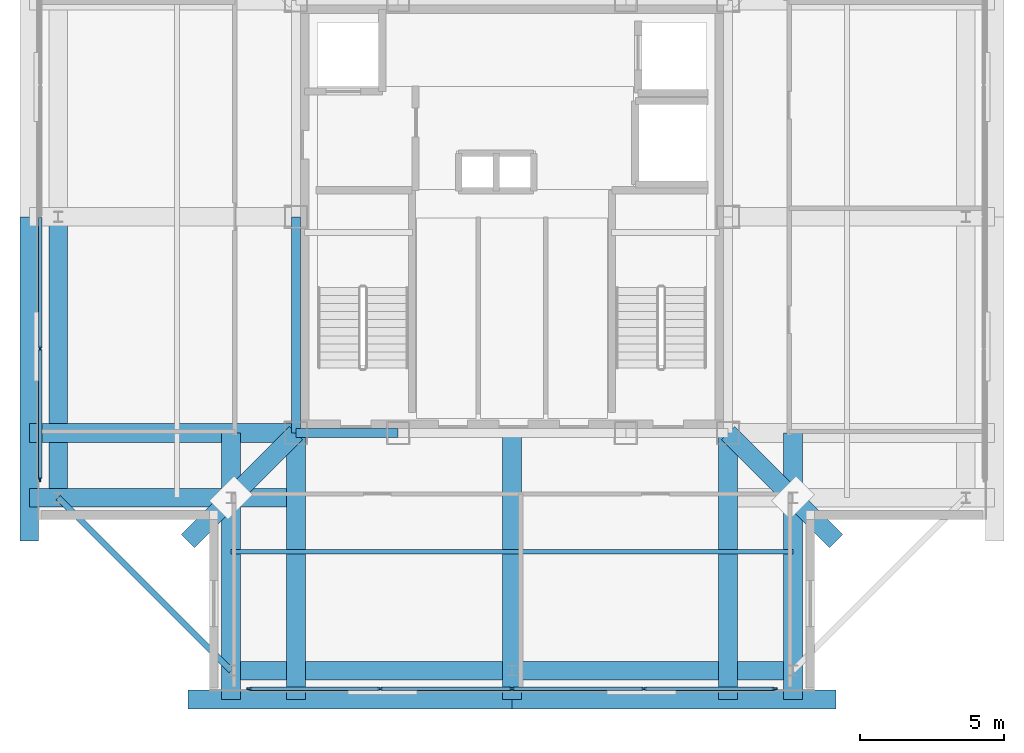
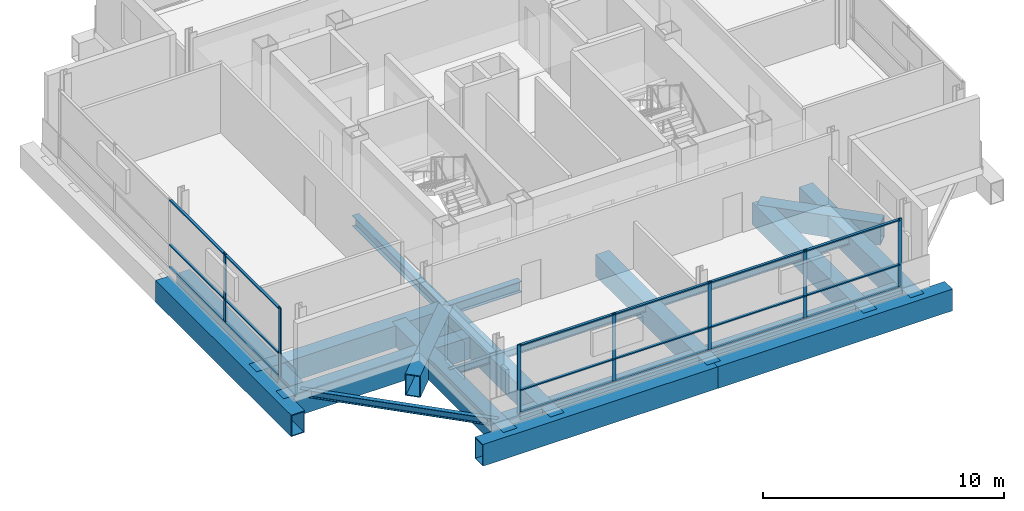
# One storey, part 2 of 12: 25 members, 19 beams, 2 elements without a shape of their own.
"""IFC4 building model written with IfcOpenShell, lengths in metres."""

import ifcopenshell
import ifcopenshell.guid

model = None  # the IFC model being written
_history = None  # IfcOwnerHistory: only IFC2X3 demands one
_inside = {}  # id of a spatial element -> (the spatial element, [elements in it])
_under = {}  # id of a project, library or spatial element -> (it, [spatial elements below it])
_declared = {}  # id of a project -> (the project, [libraries it declares])
_typed = {}  # id of a type object -> (the type object, [elements of that type])
_made_of = {}  # id of a material, layer set ... -> (it, [elements and type objects made of it])


def new_model(schema):
    """Start an empty IFC model of exactly this schema.

    Asked for "IFC4X3", IfcOpenShell would pick the latest addendum, in which some entities
    have other attributes; the version numbers below select the first issue.
    IFC2X3 requires an IfcOwnerHistory on every rooted entity: one is made here for all.
    """
    global model, _history
    if schema == "IFC4X3":
        model = ifcopenshell.file(schema_version=(4, 3, 0, 0))
    else:
        model = ifcopenshell.file(schema=schema)
    _inside.clear()
    _under.clear()
    _declared.clear()
    _typed.clear()
    _made_of.clear()
    _history = None
    if model.schema == "IFC2X3":
        org = make("IfcOrganization", Name="unknown")
        user = make(
            "IfcPersonAndOrganization",
            ThePerson=make("IfcPerson", FamilyName="unknown"),
            TheOrganization=org,
        )
        app = make(
            "IfcApplication",
            ApplicationDeveloper=org,
            Version="unknown",
            ApplicationFullName="unknown",
            ApplicationIdentifier="unknown",
        )
        _history = make(
            "IfcOwnerHistory",
            OwningUser=user,
            OwningApplication=app,
            ChangeAction="ADDED",
            CreationDate=0,
        )
    return model


def make(cls, **values):
    """One entity of the class cls with the attributes given. An attribute that is None is left unset."""
    return model.create_entity(
        cls, **{name: value for name, value in values.items() if value is not None}
    )


def rooted(cls, **values):
    """An entity with a GlobalId (a new one), such as an element, a storey or a relation."""
    return make(cls, GlobalId=ifcopenshell.guid.new(), OwnerHistory=_history, **values)


def si_unit(unit_type, name, prefix=None):
    """IfcSIUnit, for example si_unit("LENGTHUNIT", "METRE", prefix="MILLI")."""
    return make("IfcSIUnit", UnitType=unit_type, Prefix=prefix, Name=name)


def assignment(units):
    """IfcUnitAssignment: the units of a project."""
    return None if units is None else make("IfcUnitAssignment", Units=units)


def point(xyz):
    """IfcCartesianPoint."""
    return None if xyz is None else make("IfcCartesianPoint", Coordinates=xyz)


def direction(xyz):
    """IfcDirection."""
    return None if xyz is None else make("IfcDirection", DirectionRatios=xyz)


def frame(location, z_axis=None, x_axis=None):
    """IfcAxis2Placement3D, a coordinate frame: its origin and axes. An axis left out is left unset."""
    return make(
        "IfcAxis2Placement3D",
        Location=point(location),
        Axis=direction(z_axis),
        RefDirection=direction(x_axis),
    )


def frame_2d(location, x_axis=None):
    """IfcAxis2Placement2D, a coordinate frame in the plane: its origin and x axis."""
    return make(
        "IfcAxis2Placement2D", Location=point(location), RefDirection=direction(x_axis)
    )


def origin():
    """The frame at (0, 0, 0) with its axes left unset."""
    return frame((0.0, 0.0, 0.0))


def origin_2d():
    """The frame at (0, 0) in the plane with its x axis left unset."""
    return frame_2d((0.0, 0.0))


def place(relative_to, where):
    """IfcLocalPlacement: puts the frame where relative to a parent placement (None: the world)."""
    return make(
        "IfcLocalPlacement", PlacementRelTo=relative_to, RelativePlacement=where
    )


def context(
    kind, dimensions, precision=None, world=None, true_north=None, identifier=None
):
    """IfcGeometricRepresentationContext, for example the 3D "Model" context."""
    return make(
        "IfcGeometricRepresentationContext",
        ContextIdentifier=identifier,
        ContextType=kind,
        CoordinateSpaceDimension=dimensions,
        Precision=precision,
        WorldCoordinateSystem=world,
        TrueNorth=true_north,
    )


def subcontext(parent, identifier, kind, view, scale=None):
    """IfcGeometricRepresentationSubContext, for example "Body" below "Model"."""
    return make(
        "IfcGeometricRepresentationSubContext",
        ContextIdentifier=identifier,
        ContextType=kind,
        ParentContext=parent,
        TargetScale=scale,
        TargetView=view,
    )


def project(units=None, contexts=None):
    """IfcProject with its units and contexts."""
    return rooted(
        "IfcProject",
        Name="project",
        RepresentationContexts=contexts,
        UnitsInContext=assignment(units),
    )


def spatial(cls, under=None, at=None, **own):
    """A site, building, storey or space (cls), placed at a placement, below another one or the project."""
    s = rooted(cls, ObjectPlacement=at, **own)
    if under is not None:
        _under.setdefault(under.id(), (under, []))[1].append(s)
    return s


def profile(cls, at=None, kind="AREA", **sizes):
    """A parametric profile (cls). Its sizes go by their IFC names, for example OverallWidth=200.0."""
    return make(cls, ProfileType=kind, Position=at, **sizes)


def rectangle(**sizes):
    """IfcRectangleProfileDef."""
    return profile("IfcRectangleProfileDef", **sizes)


def hollow_rectangle(**sizes):
    """IfcRectangleHollowProfileDef."""
    return profile("IfcRectangleHollowProfileDef", **sizes)


def i_section(**sizes):
    """IfcIShapeProfileDef."""
    return profile("IfcIShapeProfileDef", **sizes)


def extrude(swept, where, along, depth):
    """IfcExtrudedAreaSolid: the profile swept, set in the frame where, extruded along a direction by depth."""
    return make(
        "IfcExtrudedAreaSolid",
        SweptArea=swept,
        Position=where,
        ExtrudedDirection=direction(along),
        Depth=depth,
    )


def shape(context_of_items, identifier, shape_type, items):
    """IfcShapeRepresentation: the items that make up one representation, for example the "Body"."""
    return make(
        "IfcShapeRepresentation",
        ContextOfItems=context_of_items,
        RepresentationIdentifier=identifier,
        RepresentationType=shape_type,
        Items=items,
    )


def material(Name=None, Category=None):
    """IfcMaterial."""
    return make("IfcMaterial", Name=Name, Category=Category)


def layer(
    of_material, thickness, ventilated=None, Name=None, Category=None, Priority=None
):
    """IfcMaterialLayer: one layer of a wall or slab, of a material (None: an air gap)."""
    return make(
        "IfcMaterialLayer",
        Material=of_material,
        LayerThickness=thickness,
        IsVentilated=ventilated,
        Name=Name,
        Category=Category,
        Priority=Priority,
    )


def layer_set(layers, Name=None):
    """IfcMaterialLayerSet."""
    return make("IfcMaterialLayerSet", MaterialLayers=layers, LayerSetName=Name)


def material_profile(
    of_material, cross_section, Name=None, Category=None, Priority=None
):
    """IfcMaterialProfile: a cross section and its material."""
    return make(
        "IfcMaterialProfile",
        Name=Name,
        Material=of_material,
        Profile=cross_section,
        Priority=Priority,
        Category=Category,
    )


def profile_set(profiles, Name=None, composite=None):
    """IfcMaterialProfileSet."""
    return make(
        "IfcMaterialProfileSet",
        Name=Name,
        MaterialProfiles=profiles,
        CompositeProfile=composite,
    )


def made_of(thing, what):
    """Note that an element or type object is made of a material, layer set ...; save() writes the relation."""
    if what is not None:
        _made_of.setdefault(what.id(), (what, []))[1].append(thing)
    return thing


def type_object(cls, material=None, **own):
    """A type object (cls), such as IfcWallType, which elements share."""
    return made_of(rooted(cls, **own), material)


def element(
    cls,
    number,
    at=None,
    inside=None,
    cuts=None,
    type_object=None,
    material=None,
    context=None,
    identifier="Body",
    shape_type=None,
    held_by="IfcProductDefinitionShape",
    body=None,
    shapes=None,
    **own,
):
    """One element of the class cls, such as IfcWall. Its Tag is "e" and its number.

    at: its placement. inside: the storey or other place that contains it. cuts: it is an
    opening in that element (IfcRelVoidsElement). A single representation is given by context,
    identifier, shape_type and body (its items); several are given by shapes. held_by: the class
    of the entity that holds the representations. save() writes the other relations.
    """
    e = rooted(cls, Tag="e%d" % number, ObjectPlacement=at, **own)
    if body is not None:
        shapes = [shape(context, identifier, shape_type, body)]
    if shapes is not None:
        e.Representation = make(held_by, Representations=shapes)
    if inside is not None:
        _inside.setdefault(inside.id(), (inside, []))[1].append(e)
    if cuts is not None:
        rooted(
            "IfcRelVoidsElement", RelatingBuildingElement=cuts, RelatedOpeningElement=e
        )
    if type_object is not None:
        _typed.setdefault(type_object.id(), (type_object, []))[1].append(e)
    return made_of(e, material)


def aggregate(whole, parts):
    """IfcRelAggregates: a whole, such as a stair, and the parts it consists of."""
    return rooted("IfcRelAggregates", RelatingObject=whole, RelatedObjects=parts)


def save(model, path):
    """Write the relations noted so far, then the file.

    IfcRelAggregates (storeys below a building ...), IfcRelContainedInSpatialStructure (elements
    in a storey), IfcRelDefinesByType, IfcRelAssociatesMaterial and IfcRelDeclares: one each for
    every whole, place, type object, material and project.
    """
    for whole, parts in _under.values():
        aggregate(whole, parts)
    for where, things in _inside.values():
        rooted(
            "IfcRelContainedInSpatialStructure",
            RelatedElements=things,
            RelatingStructure=where,
        )
    for kind, things in _typed.values():
        rooted("IfcRelDefinesByType", RelatedObjects=things, RelatingType=kind)
    for what, things in _made_of.values():
        rooted("IfcRelAssociatesMaterial", RelatedObjects=things, RelatingMaterial=what)
    for by, libraries in _declared.values():
        rooted("IfcRelDeclares", RelatingContext=by, RelatedDefinitions=libraries)
    model.write(path)


model = new_model("IFC4")

# Units and contexts
model_context = context("Model", 3, precision=1e-05, world=origin(), true_north=direction((0.0, 1.0)))
body_context = subcontext(model_context, "Body", "Model", "MODEL_VIEW")
ifc_project = project(units=[si_unit("LENGTHUNIT", "METRE"), si_unit("AREAUNIT", "SQUARE_METRE"), si_unit("VOLUMEUNIT", "CUBIC_METRE"), si_unit("PLANEANGLEUNIT", "RADIAN"), si_unit("MASSUNIT", "GRAM", prefix="KILO")], contexts=[model_context])

# Site, building, storey
site_placement = place(None, origin())
site = spatial("IfcSite", under=ifc_project, at=site_placement, CompositionType="ELEMENT")
building_placement = place(site_placement, origin())
building = spatial("IfcBuilding", under=site, at=building_placement, Name="Trevonay Congress Spire", CompositionType="ELEMENT")
storey_placement = place(building_placement, frame((0.0, 0.0, 308.39990234375)))
storey = spatial("IfcBuildingStorey", under=building, at=storey_placement, Name="L81", CompositionType="ELEMENT", Elevation=308.39990234375)

# Beams
ifc_material_1 = material(Name="Steel ASTM A572 Grade 50", Category="steel")
ifc_material_profile_1 = material_profile(ifc_material_1, i_section(OverallWidth=0.31201171875, OverallDepth=0.54296875, WebThickness=0.0126953125, FlangeThickness=0.020263671875, FilletRadius=0.014892578125, at=origin_2d()), Name="W530x150")
ifc_profile_set_1 = profile_set([ifc_material_profile_1], Name="Steel ASTM A572 Grade 50")
beam_type_1 = type_object("IfcBeamType", Name="BM-GIRD-W530X150", PredefinedType="BEAM", material=ifc_profile_set_1)
beam_1_placement = place(storey_placement, frame((-7.5, -7.5, -0.67138671875), z_axis=(1.0, 0.0, 0.0), x_axis=(0.0, 1.0, 0.0)))
element("IfcBeam", 1, at=beam_1_placement, inside=storey, type_object=beam_type_1, Name="L81 structural beam BM-L81-CR-S1", PredefinedType="BEAM", context=body_context, shape_type="SweptSolid", body=[
    extrude(i_section(OverallWidth=0.31201171875, OverallDepth=0.54296875, WebThickness=0.0126953125, FlangeThickness=0.020263671875, FilletRadius=0.014892578125, at=origin_2d()), origin(), (0.0, 0.0, 1.0), 3.550048828125),
])
beam_2_placement = place(storey_placement, frame((-7.5, -7.5, -0.67138671875), z_axis=(0.0, 1.0, 0.0), x_axis=(-1.0, 0.0, 0.0)))
element("IfcBeam", 2, at=beam_2_placement, inside=storey, type_object=beam_type_1, Name="L81 structural beam BM-L81-CR-W1", PredefinedType="BEAM", context=body_context, shape_type="SweptSolid", body=[
    extrude(i_section(OverallWidth=0.31201171875, OverallDepth=0.54296875, WebThickness=0.0126953125, FlangeThickness=0.020263671875, FilletRadius=0.014892578125, at=origin_2d()), origin(), (0.0, 0.0, 1.0), 7.5),
])
ifc_material_profile_2 = material_profile(ifc_material_1, hollow_rectangle(XDim=0.64990234375, YDim=1.10009765625, WallThickness=0.044921875, at=origin_2d()), Name="BOX 1100x650x45")
ifc_profile_set_2 = profile_set([ifc_material_profile_2], Name="Steel ASTM A572 Grade 50")
beam_type_2 = type_object("IfcBeamType", Name="BM-RING-BOX1100", PredefinedType="BEAM", material=ifc_profile_set_2)
for number, where, z_axis, x_axis, name in (
    (3, (-9.75, -15.75, -0.949951171875), (1.0, 0.0, 0.0), (0.0, 1.0, 0.0), "L81 structural beam BM-L81-PS1"),
    (4, (-15.75, -9.75, -0.949951171875), (0.0, 1.0, 0.0), (-1.0, 0.0, 0.0), "L81 structural beam BM-L81-PW1"),
    (5, (0.0, -15.75, -0.949951171875), (1.0, 0.0, 0.0), (0.0, 1.0, 0.0), "L81 structural beam BM-L81-PS2"),
):
    element("IfcBeam", number, at=place(storey_placement, frame(where, z_axis=z_axis, x_axis=x_axis)), inside=storey, type_object=beam_type_2, Name=name, PredefinedType="BEAM", context=body_context, shape_type="SweptSolid", body=[
        extrude(hollow_rectangle(XDim=0.64990234375, YDim=1.10009765625, WallThickness=0.044921875, at=origin_2d()), origin(), (0.0, 0.0, 1.0), 9.75),
    ])
for number, where, z_axis, x_axis, name in (
    (6, (-11.25, -16.75, -0.949951171875), (1.0, 0.0, 0.0), (0.0, 1.0, 0.0), "L81 structural beam XOUT-L81-S0"),
    (7, (-16.75, -11.25, -0.949951171875), (0.0, 1.0, 0.0), (-1.0, 0.0, 0.0), "L81 structural beam XOUT-L81-W0"),
    (8, (0.0, -16.75, -0.949951171875), (1.0, 0.0, 0.0), (0.0, 1.0, 0.0), "L81 structural beam XOUT-L81-S1"),
):
    element("IfcBeam", number, at=place(storey_placement, frame(where, z_axis=z_axis, x_axis=x_axis)), inside=storey, type_object=beam_type_2, Name=name, PredefinedType="BEAM", context=body_context, shape_type="SweptSolid", body=[
        extrude(hollow_rectangle(XDim=0.64990234375, YDim=1.10009765625, WallThickness=0.044921875, at=origin_2d()), origin(), (0.0, 0.0, 1.0), 11.25),
    ])
ifc_material_profile_3 = material_profile(ifc_material_1, hollow_rectangle(XDim=0.64990234375, YDim=1.10009765625, WallThickness=0.044921875, at=origin_2d()), Name="BOX 1100x650x45")
ifc_profile_set_3 = profile_set([ifc_material_profile_3], Name="Steel ASTM A572 Grade 50")
beam_type_3 = type_object("IfcBeamType", Name="BM-XFER-BOX1100", PredefinedType="BEAM", material=ifc_profile_set_3)
for number, where, z_axis, x_axis, name in (
    (9, (-7.5, -7.5, -0.949951171875), (-0.707106781187, -0.707106781187, 0.0), (0.707106781187, -0.707106781187, 0.0), "L81 structural beam BM-L81-CDSW"),
    (10, (7.5, -7.5, -0.949951171875), (0.707106781187, -0.707106781187, 0.0), (0.707106781187, 0.707106781187, 0.0), "L81 structural beam BM-L81-CDSE"),
):
    element("IfcBeam", number, at=place(storey_placement, frame(where, z_axis=z_axis, x_axis=x_axis)), inside=storey, type_object=beam_type_3, Name=name, PredefinedType="BEAM", context=body_context, shape_type="SweptSolid", body=[
        extrude(hollow_rectangle(XDim=0.64990234375, YDim=1.10009765625, WallThickness=0.044921875, at=origin_2d()), origin(), (0.0, 0.0, 1.0), 5.30322265625),
    ])
for number, where, z_axis, x_axis, name in (
    (11, (-7.5, -7.5, -0.949951171875), (-1.0, 0.0, 0.0), (0.0, -1.0, 0.0), "L81 structural beam XSPN-L81-CX-SW"),
    (12, (-7.5, -7.5, -0.949951171875), (0.0, -1.0, 0.0), (1.0, 0.0, 0.0), "L81 structural beam XSPN-L81-CY-SW"),
    (13, (7.5, -7.5, -0.949951171875), (0.0, -1.0, 0.0), (1.0, 0.0, 0.0), "L81 structural beam XSPN-L81-CY-SE"),
    (14, (-9.75, -7.5, -0.949951171875), (0.0, -1.0, 0.0), (1.0, 0.0, 0.0), "L81 structural beam XFER-L81-S0"),
    (15, (-7.5, -9.75, -0.949951171875), (-1.0, 0.0, 0.0), (0.0, -1.0, 0.0), "L81 structural beam XFER-L81-W0"),
    (16, (0.0, -7.5, -0.949951171875), (0.0, -1.0, 0.0), (1.0, 0.0, 0.0), "L81 structural beam XFER-L81-S1"),
    (17, (9.75, -7.5, -0.949951171875), (0.0, -1.0, 0.0), (1.0, 0.0, 0.0), "L81 structural beam XFER-L81-S2"),
):
    element("IfcBeam", number, at=place(storey_placement, frame(where, z_axis=z_axis, x_axis=x_axis)), inside=storey, type_object=beam_type_3, Name=name, PredefinedType="BEAM", context=body_context, shape_type="SweptSolid", body=[
        extrude(hollow_rectangle(XDim=0.64990234375, YDim=1.10009765625, WallThickness=0.044921875, at=origin_2d()), origin(), (0.0, 0.0, 1.0), 9.25),
    ])

# Curtain wall, members
ifc_material_2 = material(Name="Pale Anodised Aluminium EN AW-6063-T6", Category="aluminium")
ifc_layer = layer(ifc_material_2, 0.159912109375, Name="Pale Anodised Aluminium EN AW-6063-T6")
ifc_layer_set = layer_set([ifc_layer], Name="Pale Anodised Aluminium EN AW-6063-T6")
curtain_wall_type = type_object("IfcCurtainWallType", Name="CW-SYS06-CROWN-PALE-METAL", PredefinedType="NOTDEFINED", material=ifc_layer_set)
curtain_wall_1_placement = place(storey_placement, origin())
curtain_wall_1 = element("IfcCurtainWall", 18, at=curtain_wall_1_placement, inside=storey, type_object=curtain_wall_type, Name="L81 S unitised curtain wall", PredefinedType="NOTDEFINED")
ifc_material_profile_4 = material_profile(ifc_material_2, rectangle(XDim=0.06005859375, YDim=0.159912109375, at=origin_2d()), Name="CW-MULLION-160-ALUMINIUM")
ifc_profile_set_4 = profile_set([ifc_material_profile_4], Name="Pale Anodised Aluminium EN AW-6063-T6")
member_type_1 = type_object("IfcMemberType", Name="CW-MULLION-160-ALUMINIUM", PredefinedType="MULLION", material=ifc_profile_set_4)
member_1_placement = place(storey_placement, frame((-9.1201171875, -16.3798828125, 0.0), z_axis=(0.0, 0.0, 1.0), x_axis=(0.0, 1.0, 0.0)))
member_1 = element("IfcMember", 19, at=member_1_placement, type_object=member_type_1, Name="CW06 mullion 1", PredefinedType="MULLION", context=body_context, shape_type="SweptSolid", body=[
    extrude(rectangle(XDim=0.06005859375, YDim=0.159912109375, at=origin_2d()), origin(), (0.0, 0.0, 1.0), 3.52001953125),
])
member_2_placement = place(storey_placement, frame((-4.574951171875, -16.3798828125, 0.0), z_axis=(0.0, 0.0, 1.0), x_axis=(0.0, 1.0, 0.0)))
member_2 = element("IfcMember", 20, at=member_2_placement, type_object=member_type_1, Name="CW06 mullion 2", PredefinedType="MULLION", context=body_context, shape_type="SweptSolid", body=[
    extrude(rectangle(XDim=0.06005859375, YDim=0.159912109375, at=origin_2d()), origin(), (0.0, 0.0, 1.0), 3.52001953125),
])
member_3_placement = place(storey_placement, frame((0.0, -16.3798828125, 0.0), z_axis=(0.0, 0.0, 1.0), x_axis=(0.0, 1.0, 0.0)))
member_3 = element("IfcMember", 21, at=member_3_placement, type_object=member_type_1, Name="CW06 mullion 3", PredefinedType="MULLION", context=body_context, shape_type="SweptSolid", body=[
    extrude(rectangle(XDim=0.06005859375, YDim=0.159912109375, at=origin_2d()), origin(), (0.0, 0.0, 1.0), 3.52001953125),
])
member_4_placement = place(storey_placement, frame((4.574951171875, -16.3798828125, 0.0), z_axis=(0.0, 0.0, 1.0), x_axis=(0.0, 1.0, 0.0)))
member_4 = element("IfcMember", 22, at=member_4_placement, type_object=member_type_1, Name="CW06 mullion 4", PredefinedType="MULLION", context=body_context, shape_type="SweptSolid", body=[
    extrude(rectangle(XDim=0.06005859375, YDim=0.159912109375, at=origin_2d()), origin(), (0.0, 0.0, 1.0), 3.52001953125),
])
member_5_placement = place(storey_placement, frame((9.1201171875, -16.3798828125, 0.0), z_axis=(0.0, 0.0, 1.0), x_axis=(0.0, 1.0, 0.0)))
member_5 = element("IfcMember", 23, at=member_5_placement, type_object=member_type_1, Name="CW06 mullion 5", PredefinedType="MULLION", context=body_context, shape_type="SweptSolid", body=[
    extrude(rectangle(XDim=0.06005859375, YDim=0.159912109375, at=origin_2d()), origin(), (0.0, 0.0, 1.0), 3.52001953125),
])

curtain_wall_2_placement = place(storey_placement, origin())
curtain_wall_2 = element("IfcCurtainWall", 24, at=curtain_wall_2_placement, inside=storey, type_object=curtain_wall_type, Name="L81 W unitised curtain wall", PredefinedType="NOTDEFINED")
member_6_placement = place(storey_placement, frame((-16.3798828125, -9.1201171875, 0.0), z_axis=(0.0, 0.0, 1.0), x_axis=(-1.0, 0.0, 0.0)))
member_6 = element("IfcMember", 25, at=member_6_placement, type_object=member_type_1, Name="CW06 mullion 1", PredefinedType="MULLION", context=body_context, shape_type="SweptSolid", body=[
    extrude(rectangle(XDim=0.06005859375, YDim=0.159912109375, at=origin_2d()), origin(), (0.0, 0.0, 1.0), 3.52001953125),
])
member_7_placement = place(storey_placement, frame((-16.3798828125, -4.574951171875, 0.0), z_axis=(0.0, 0.0, 1.0), x_axis=(-1.0, 0.0, 0.0)))
member_7 = element("IfcMember", 26, at=member_7_placement, type_object=member_type_1, Name="CW06 mullion 2", PredefinedType="MULLION", context=body_context, shape_type="SweptSolid", body=[
    extrude(rectangle(XDim=0.06005859375, YDim=0.159912109375, at=origin_2d()), origin(), (0.0, 0.0, 1.0), 3.52001953125),
])

# Member
ifc_material_profile_5 = material_profile(ifc_material_2, rectangle(XDim=0.1201171875, YDim=0.06005859375, at=origin_2d()), Name="CW-TRANSOM-120-ALUMINIUM")
ifc_profile_set_5 = profile_set([ifc_material_profile_5], Name="Pale Anodised Aluminium EN AW-6063-T6")
member_type_2 = type_object("IfcMemberType", Name="CW-TRANSOM-120-ALUMINIUM", PredefinedType="USERDEFINED", material=ifc_profile_set_5)
member_8_placement = place(storey_placement, frame((-9.090087890625, -16.3798828125, 0.06005859375), z_axis=(1.0, 0.0, 0.0), x_axis=(0.0, 1.0, 0.0)))
member_8 = element("IfcMember", 27, at=member_8_placement, type_object=member_type_2, Name="CW06 transom 1.1", ObjectType="TRANSOM", PredefinedType="USERDEFINED", context=body_context, shape_type="SweptSolid", body=[
    extrude(rectangle(XDim=0.1201171875, YDim=0.06005859375, at=origin_2d()), origin(), (0.0, 0.0, 1.0), 4.485107421875),
])

member_9_placement = place(storey_placement, frame((-9.090087890625, -16.3798828125, 1.19677734375), z_axis=(1.0, 0.0, 0.0), x_axis=(0.0, 1.0, 0.0)))
member_9 = element("IfcMember", 28, at=member_9_placement, type_object=member_type_2, Name="CW06 transom 1.2", ObjectType="TRANSOM", PredefinedType="USERDEFINED", context=body_context, shape_type="SweptSolid", body=[
    extrude(rectangle(XDim=0.1201171875, YDim=0.06005859375, at=origin_2d()), origin(), (0.0, 0.0, 1.0), 4.485107421875),
])

member_10_placement = place(storey_placement, frame((-9.090087890625, -16.3798828125, 3.460205078125), z_axis=(1.0, 0.0, 0.0), x_axis=(0.0, 1.0, 0.0)))
member_10 = element("IfcMember", 29, at=member_10_placement, type_object=member_type_2, Name="CW06 transom 1.3", ObjectType="TRANSOM", PredefinedType="USERDEFINED", context=body_context, shape_type="SweptSolid", body=[
    extrude(rectangle(XDim=0.1201171875, YDim=0.06005859375, at=origin_2d()), origin(), (0.0, 0.0, 1.0), 4.485107421875),
])

member_11_placement = place(storey_placement, frame((-4.544921875, -16.3798828125, 0.06005859375), z_axis=(1.0, 0.0, 0.0), x_axis=(0.0, 1.0, 0.0)))
member_11 = element("IfcMember", 30, at=member_11_placement, type_object=member_type_2, Name="CW06 transom 2.1", ObjectType="TRANSOM", PredefinedType="USERDEFINED", context=body_context, shape_type="SweptSolid", body=[
    extrude(rectangle(XDim=0.1201171875, YDim=0.06005859375, at=origin_2d()), origin(), (0.0, 0.0, 1.0), 4.514892578125),
])

member_12_placement = place(storey_placement, frame((-4.544921875, -16.3798828125, 1.19677734375), z_axis=(1.0, 0.0, 0.0), x_axis=(0.0, 1.0, 0.0)))
member_12 = element("IfcMember", 31, at=member_12_placement, type_object=member_type_2, Name="CW06 transom 2.2", ObjectType="TRANSOM", PredefinedType="USERDEFINED", context=body_context, shape_type="SweptSolid", body=[
    extrude(rectangle(XDim=0.1201171875, YDim=0.06005859375, at=origin_2d()), origin(), (0.0, 0.0, 1.0), 4.514892578125),
])

member_13_placement = place(storey_placement, frame((-4.544921875, -16.3798828125, 3.460205078125), z_axis=(1.0, 0.0, 0.0), x_axis=(0.0, 1.0, 0.0)))
member_13 = element("IfcMember", 32, at=member_13_placement, type_object=member_type_2, Name="CW06 transom 2.3", ObjectType="TRANSOM", PredefinedType="USERDEFINED", context=body_context, shape_type="SweptSolid", body=[
    extrude(rectangle(XDim=0.1201171875, YDim=0.06005859375, at=origin_2d()), origin(), (0.0, 0.0, 1.0), 4.514892578125),
])

member_14_placement = place(storey_placement, frame((0.030029296875, -16.3798828125, 0.06005859375), z_axis=(1.0, 0.0, 0.0), x_axis=(0.0, 1.0, 0.0)))
member_14 = element("IfcMember", 33, at=member_14_placement, type_object=member_type_2, Name="CW06 transom 3.1", ObjectType="TRANSOM", PredefinedType="USERDEFINED", context=body_context, shape_type="SweptSolid", body=[
    extrude(rectangle(XDim=0.1201171875, YDim=0.06005859375, at=origin_2d()), origin(), (0.0, 0.0, 1.0), 4.514892578125),
])

member_15_placement = place(storey_placement, frame((0.030029296875, -16.3798828125, 1.19677734375), z_axis=(1.0, 0.0, 0.0), x_axis=(0.0, 1.0, 0.0)))
member_15 = element("IfcMember", 34, at=member_15_placement, type_object=member_type_2, Name="CW06 transom 3.2", ObjectType="TRANSOM", PredefinedType="USERDEFINED", context=body_context, shape_type="SweptSolid", body=[
    extrude(rectangle(XDim=0.1201171875, YDim=0.06005859375, at=origin_2d()), origin(), (0.0, 0.0, 1.0), 4.514892578125),
])

member_16_placement = place(storey_placement, frame((0.030029296875, -16.3798828125, 3.460205078125), z_axis=(1.0, 0.0, 0.0), x_axis=(0.0, 1.0, 0.0)))
member_16 = element("IfcMember", 35, at=member_16_placement, type_object=member_type_2, Name="CW06 transom 3.3", ObjectType="TRANSOM", PredefinedType="USERDEFINED", context=body_context, shape_type="SweptSolid", body=[
    extrude(rectangle(XDim=0.1201171875, YDim=0.06005859375, at=origin_2d()), origin(), (0.0, 0.0, 1.0), 4.514892578125),
])

member_17_placement = place(storey_placement, frame((4.60498046875, -16.3798828125, 0.06005859375), z_axis=(1.0, 0.0, 0.0), x_axis=(0.0, 1.0, 0.0)))
member_17 = element("IfcMember", 36, at=member_17_placement, type_object=member_type_2, Name="CW06 transom 4.1", ObjectType="TRANSOM", PredefinedType="USERDEFINED", context=body_context, shape_type="SweptSolid", body=[
    extrude(rectangle(XDim=0.1201171875, YDim=0.06005859375, at=origin_2d()), origin(), (0.0, 0.0, 1.0), 4.485107421875),
])

member_18_placement = place(storey_placement, frame((4.60498046875, -16.3798828125, 1.19677734375), z_axis=(1.0, 0.0, 0.0), x_axis=(0.0, 1.0, 0.0)))
member_18 = element("IfcMember", 37, at=member_18_placement, type_object=member_type_2, Name="CW06 transom 4.2", ObjectType="TRANSOM", PredefinedType="USERDEFINED", context=body_context, shape_type="SweptSolid", body=[
    extrude(rectangle(XDim=0.1201171875, YDim=0.06005859375, at=origin_2d()), origin(), (0.0, 0.0, 1.0), 4.485107421875),
])

member_19_placement = place(storey_placement, frame((4.60498046875, -16.3798828125, 3.460205078125), z_axis=(1.0, 0.0, 0.0), x_axis=(0.0, 1.0, 0.0)))
member_19 = element("IfcMember", 38, at=member_19_placement, type_object=member_type_2, Name="CW06 transom 4.3", ObjectType="TRANSOM", PredefinedType="USERDEFINED", context=body_context, shape_type="SweptSolid", body=[
    extrude(rectangle(XDim=0.1201171875, YDim=0.06005859375, at=origin_2d()), origin(), (0.0, 0.0, 1.0), 4.485107421875),
])

aggregate(curtain_wall_1, [member_1, member_2, member_3, member_4, member_5, member_8, member_9, member_10, member_11, member_12, member_13, member_14, member_15, member_16, member_17, member_18, member_19])

member_20_placement = place(storey_placement, frame((-16.3798828125, -9.090087890625, 0.06005859375), z_axis=(0.0, 1.0, 0.0), x_axis=(-1.0, 0.0, 0.0)))
member_20 = element("IfcMember", 39, at=member_20_placement, type_object=member_type_2, Name="CW06 transom 1.1", ObjectType="TRANSOM", PredefinedType="USERDEFINED", context=body_context, shape_type="SweptSolid", body=[
    extrude(rectangle(XDim=0.1201171875, YDim=0.06005859375, at=origin_2d()), origin(), (0.0, 0.0, 1.0), 4.485107421875),
])

member_21_placement = place(storey_placement, frame((-16.3798828125, -9.090087890625, 1.19677734375), z_axis=(0.0, 1.0, 0.0), x_axis=(-1.0, 0.0, 0.0)))
member_21 = element("IfcMember", 40, at=member_21_placement, type_object=member_type_2, Name="CW06 transom 1.2", ObjectType="TRANSOM", PredefinedType="USERDEFINED", context=body_context, shape_type="SweptSolid", body=[
    extrude(rectangle(XDim=0.1201171875, YDim=0.06005859375, at=origin_2d()), origin(), (0.0, 0.0, 1.0), 4.485107421875),
])

member_22_placement = place(storey_placement, frame((-16.3798828125, -9.090087890625, 3.460205078125), z_axis=(0.0, 1.0, 0.0), x_axis=(-1.0, 0.0, 0.0)))
member_22 = element("IfcMember", 41, at=member_22_placement, type_object=member_type_2, Name="CW06 transom 1.3", ObjectType="TRANSOM", PredefinedType="USERDEFINED", context=body_context, shape_type="SweptSolid", body=[
    extrude(rectangle(XDim=0.1201171875, YDim=0.06005859375, at=origin_2d()), origin(), (0.0, 0.0, 1.0), 4.485107421875),
])

member_23_placement = place(storey_placement, frame((-16.3798828125, -4.544921875, 0.06005859375), z_axis=(0.0, 1.0, 0.0), x_axis=(-1.0, 0.0, 0.0)))
member_23 = element("IfcMember", 42, at=member_23_placement, type_object=member_type_2, Name="CW06 transom 2.1", ObjectType="TRANSOM", PredefinedType="USERDEFINED", context=body_context, shape_type="SweptSolid", body=[
    extrude(rectangle(XDim=0.1201171875, YDim=0.06005859375, at=origin_2d()), origin(), (0.0, 0.0, 1.0), 4.514892578125),
])

member_24_placement = place(storey_placement, frame((-16.3798828125, -4.544921875, 1.19677734375), z_axis=(0.0, 1.0, 0.0), x_axis=(-1.0, 0.0, 0.0)))
member_24 = element("IfcMember", 43, at=member_24_placement, type_object=member_type_2, Name="CW06 transom 2.2", ObjectType="TRANSOM", PredefinedType="USERDEFINED", context=body_context, shape_type="SweptSolid", body=[
    extrude(rectangle(XDim=0.1201171875, YDim=0.06005859375, at=origin_2d()), origin(), (0.0, 0.0, 1.0), 4.514892578125),
])

member_25_placement = place(storey_placement, frame((-16.3798828125, -4.544921875, 3.460205078125), z_axis=(0.0, 1.0, 0.0), x_axis=(-1.0, 0.0, 0.0)))
member_25 = element("IfcMember", 44, at=member_25_placement, type_object=member_type_2, Name="CW06 transom 2.3", ObjectType="TRANSOM", PredefinedType="USERDEFINED", context=body_context, shape_type="SweptSolid", body=[
    extrude(rectangle(XDim=0.1201171875, YDim=0.06005859375, at=origin_2d()), origin(), (0.0, 0.0, 1.0), 4.514892578125),
])

aggregate(curtain_wall_2, [member_6, member_7, member_20, member_21, member_22, member_23, member_24, member_25])

# Beams
ifc_material_profile_6 = material_profile(ifc_material_1, i_section(OverallWidth=0.172119140625, OverallDepth=0.35791015625, WebThickness=0.0078125, FlangeThickness=0.01318359375, FilletRadius=0.011962890625, at=origin_2d()), Name="W360x57.8")
ifc_profile_set_6 = profile_set([ifc_material_profile_6], Name="Steel ASTM A572 Grade 50")
beam_type_4 = type_object("IfcBeamType", Name="JS-COMP-W360X57", PredefinedType="JOIST", material=ifc_profile_set_6)
beam_3_placement = place(storey_placement, frame((-9.75, -11.625, -0.578857421875), z_axis=(1.0, 0.0, 0.0), x_axis=(0.0, 1.0, 0.0)))
element("IfcBeam", 45, at=beam_3_placement, inside=storey, type_object=beam_type_4, Name="L81 structural beam JS-L81-RING-S", PredefinedType="JOIST", context=body_context, shape_type="SweptSolid", body=[
    extrude(i_section(OverallWidth=0.172119140625, OverallDepth=0.35791015625, WebThickness=0.0078125, FlangeThickness=0.01318359375, FilletRadius=0.011962890625, at=origin_2d()), origin(), (0.0, 0.0, 1.0), 19.5),
])
ifc_material_profile_7 = material_profile(ifc_material_1, i_section(OverallWidth=0.205078125, OverallDepth=0.35400390625, WebThickness=0.009521484375, FlangeThickness=0.016845703125, FilletRadius=0.011962890625, at=origin_2d()), Name="W360x79")
ifc_profile_set_7 = profile_set([ifc_material_profile_7], Name="Steel ASTM A572 Grade 50")
beam_type_5 = type_object("IfcBeamType", Name="SPB-HSS350", PredefinedType="SPANDREL", material=ifc_profile_set_7)
beam_4_placement = place(storey_placement, frame((-9.75, -15.75, -0.576904296875), z_axis=(-0.707106781187, 0.707106781187, 0.0), x_axis=(-0.707106781187, -0.707106781187, 0.0)))
element("IfcBeam", 46, at=beam_4_placement, inside=storey, type_object=beam_type_5, Name="L81 structural beam SPB-L81-SW", PredefinedType="SPANDREL", context=body_context, shape_type="SweptSolid", body=[
    extrude(i_section(OverallWidth=0.205078125, OverallDepth=0.35400390625, WebThickness=0.009521484375, FlangeThickness=0.016845703125, FilletRadius=0.011962890625, at=origin_2d()), origin(), (0.0, 0.0, 1.0), 8.4853515625),
])

save(model, "model.ifc")
